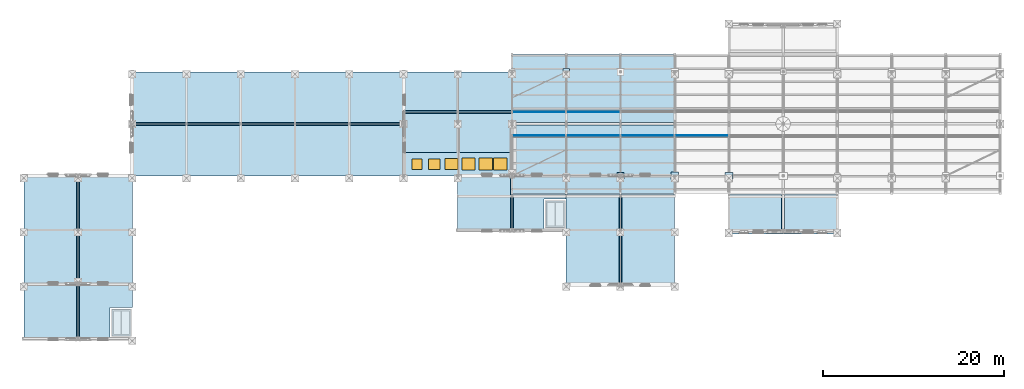
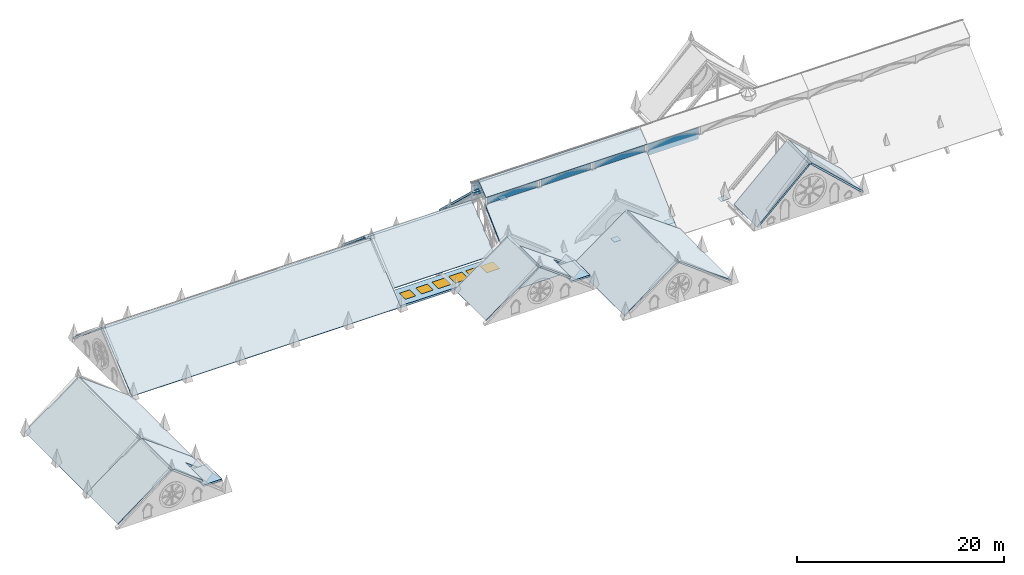
# One storey, part 15 of 33: 21 slabs, 10 plates, 6 windows, 6 openings.
"""IFC4 building model written with IfcOpenShell, lengths in metres."""

from ifc_helpers import new_model, si_unit, direction, frame, origin, origin_2d, place, context, subcontext, project, spatial, polyline, rectangle, outline, extrude, material, layer, layer_set, type_object, element, fill, save


model = new_model("IFC4")

# Units and contexts
model_context = context("Model", 3, precision=1e-05, world=origin(), true_north=direction((0.0, 1.0)))
body_context = subcontext(model_context, "Body", "Model", "MODEL_VIEW")
ifc_project = project(units=[si_unit("LENGTHUNIT", "METRE"), si_unit("AREAUNIT", "SQUARE_METRE"), si_unit("VOLUMEUNIT", "CUBIC_METRE"), si_unit("PLANEANGLEUNIT", "RADIAN"), si_unit("MASSUNIT", "GRAM", prefix="KILO")], contexts=[model_context])

# Site, building, storey
site_placement = place(None, origin())
site = spatial("IfcSite", under=ifc_project, at=site_placement, CompositionType="ELEMENT")
building_placement = place(site_placement, origin())
building = spatial("IfcBuilding", under=site, at=building_placement, Name="Cumevento Cable Car Station", CompositionType="ELEMENT")
storey_placement = place(building_placement, frame((0.0, 0.0, 22.5)))
storey = spatial("IfcBuildingStorey", under=building, at=storey_placement, Name="RF", CompositionType="ELEMENT", Elevation=22.5)

# Slabs
ifc_material_1 = material(Name="Concrete C40/50", Category="concrete")
ifc_layer_1 = layer(ifc_material_1, 0.159912109375)
ifc_layer_set_1 = layer_set([ifc_layer_1], Name="Concrete C40/50")
slab_type_1 = type_object("IfcSlabType", Name="Concrete Deck RS-160 160", PredefinedType="ROOF", material=ifc_layer_set_1)
for number, where, z_axis, x_axis, name in (
    (1, (64.0, 49.300048828125, 6.550048828125), (0.0, -0.61461725646, 0.788825473765), (1.0, 0.0, 0.0), "Boarding Hall Ridge Lantern South Facet 3"),
    (2, (64.0, 50.89990234375, 7.56298828125), (0.0, 0.61461725646, 0.788825473765), (1.0, 0.0, 0.0), "Boarding Hall Ridge Lantern North Facet 4"),
):
    element("IfcSlab", number, at=place(storey_placement, frame(where, z_axis=z_axis, x_axis=x_axis)), inside=storey, type_object=slab_type_1, Name=name, PredefinedType="ROOF", context=body_context, shape_type="SweptSolid", body=[
        extrude(outline(polyline([(0.0, 0.0), (18.0, 0.0), (18.0, 1.6480817004039454), (0.0, 1.6480817004039454), (0.0, 0.0)])), origin(), (0.0, 0.0, -1.0), 0.159912109375),
    ])
slab_1_placement = place(storey_placement, frame((58.0, 45.0, 0.390380859375), z_axis=(-0.586951487376, 0.0, 0.809622104112), x_axis=(0.0, -1.0, 0.0)))
element("IfcSlab", 3, at=slab_1_placement, inside=storey, type_object=slab_type_1, Name="Wing B_V2c Gable Roof West", PredefinedType="ROOF", context=body_context, shape_type="SweptSolid", body=[
    extrude(outline(polyline([(0.0, 0.0), (6.0, 0.0), (6.0, 7.213350353159925), (0.0, 7.213350353159925), (0.0, 0.0)])), origin(), (0.0, 0.0, -1.0), 0.159912109375),
])
slab_2_placement = place(storey_placement, frame((64.159912109375, 42.949951171875, 4.624267578125), z_axis=(0.58694527748, 8.088915e-06, 0.809626606022), x_axis=(4.74775e-06, -0.999999999967, 6.549001e-06)))
element("IfcSlab", 4, at=slab_2_placement, inside=storey, type_object=slab_type_1, Name="Wing B_V2c Gable Roof East", PredefinedType="ROOF", context=body_context, shape_type="SweptSolid", body=[
    extrude(outline(polyline([(0.0, 0.0), (3.9499511717457767, -3.3457387826238587e-21), (3.9499511718151368, 4.174914577880621), (0.5300292969270202, 4.174914577880621), (0.5300292964101253, 7.213350352947744), (-4.475346785935458e-10, 7.213350352947744), (0.0, 0.0)])), origin(), (0.0, 0.0, -1.0), 0.159912109375),
])
for number, where, z_axis, x_axis, name in (
    (5, (10.0, 45.0, 0.393310546875), (-0.595698812382, 0.0, 0.803207896454), (0.0, -1.0, 0.0), "Wing B_V6b Gable Roof West"),
    (6, (16.159912109375, 45.0, 4.724609375), (0.595698812382, 0.0, 0.803207896454), (0.0, -1.0, 0.0), "Wing B_V6b Gable Roof East"),
):
    element("IfcSlab", number, at=place(storey_placement, frame(where, z_axis=z_axis, x_axis=x_axis)), inside=storey, type_object=slab_type_1, Name=name, PredefinedType="ROOF", context=body_context, shape_type="SweptSolid", body=[
        extrude(outline(polyline([(0.0, 0.0), (12.0, 0.0), (12.0, 7.270954277723231), (0.0, 7.270954277723231), (0.0, 0.0)])), origin(), (0.0, 0.0, -1.0), 0.159912109375),
    ])
ifc_material_2 = material(Name="Concrete C40/50", Category="concrete")
ifc_layer_2 = layer(ifc_material_2, 0.172119140625)
ifc_layer_set_2 = layer_set([ifc_layer_2], Name="Concrete C40/50")
slab_type_2 = type_object("IfcSlabType", Name="Concrete Deck RS-172 172", PredefinedType="ROOF", material=ifc_layer_set_2)
for number, where, z_axis, x_axis, name in (
    (7, (70.0, 42.949951171875, 0.405029296875), (-0.586973672139, 0.0, 0.809606020368), (0.0, -1.0, 0.0), "Wing B_V2d Gable Roof West"),
    (8, (76.159912109375, 42.949951171875, 4.63916015625), (0.586973672139, 0.0, 0.809606020368), (0.0, -1.0, 0.0), "Wing B_V2d Gable Roof East"),
):
    element("IfcSlab", number, at=place(storey_placement, frame(where, z_axis=z_axis, x_axis=x_axis)), inside=storey, type_object=slab_type_2, Name=name, PredefinedType="ROOF", context=body_context, shape_type="SweptSolid", body=[
        extrude(outline(polyline([(0.0, 0.0), (9.949951171875, 0.0), (9.949951171875, 7.213493654571025), (0.0, 7.213493654571025), (0.0, 0.0)])), origin(), (0.0, 0.0, -1.0), 0.172119140625),
    ])
for number, where, z_axis, x_axis, name in (
    (9, (22.0, 45.0, 0.423583984375), (0.0, -0.632867918487, 0.774259774075), (1.0, 0.0, 0.0), "Wing B_V6c Gable Roof South"),
    (10, (22.0, 50.905029296875, 4.996826171875), (0.0, 0.632867918487, 0.774259774075), (1.0, 0.0, 0.0), "Wing B_V6c Gable Roof North"),
):
    element("IfcSlab", number, at=place(storey_placement, frame(where, z_axis=z_axis, x_axis=x_axis)), inside=storey, type_object=slab_type_2, Name=name, PredefinedType="ROOF", context=body_context, shape_type="SweptSolid", body=[
        extrude(outline(polyline([(0.0, 0.0), (30.0, 0.0), (30.0, 7.2262190164951985), (0.0, 7.2262190164951985), (0.0, 0.0)])), origin(), (0.0, 0.0, -1.0), 0.172119140625),
    ])
ifc_material_3 = material(Name="Concrete C40/50", Category="concrete")
ifc_layer_3 = layer(ifc_material_3, 0.199951171875)
ifc_layer_set_3 = layer_set([ifc_layer_3], Name="Concrete C40/50")
slab_type_3 = type_object("IfcSlabType", Name="Concrete Deck RS-200 200", PredefinedType="ROOF", material=ifc_layer_set_3)
for number, where, z_axis, x_axis, name in (
    (11, (64.0, 43.050048828125, -0.419921875), (0.0, -0.68836684704, 0.725362725743), (1.0, 0.0, 0.0), "Elevated Boarding Hall Vault South Facet 1"),
    (12, (64.0, 52.050048828125, 5.653564453125), (0.0, 0.68836684704, 0.725362725743), (1.0, 0.0, 0.0), "Elevated Boarding Hall Vault North Facet 2"),
):
    element("IfcSlab", number, at=place(storey_placement, frame(where, z_axis=z_axis, x_axis=x_axis)), inside=storey, type_object=slab_type_3, Name=name, PredefinedType="ROOF", context=body_context, shape_type="SweptSolid", body=[
        extrude(outline(polyline([(0.0, 0.0), (18.0, 0.0), (18.0, 8.823037242778593), (0.0, 8.823037242778593), (0.0, 0.0)])), origin(), (0.0, 0.0, -1.0), 0.199951171875),
    ])
for number, where, z_axis, x_axis, name in (
    (13, (88.0, 42.949951171875, 1.17578125), (-0.6819870209, 0.0, 0.731364275395), (0.0, -1.0, 0.0), "South Downhill Foothill Ropeway Cabin Portal Gothic Canopy West Facet"),
    (14, (94.159912109375, 42.949951171875, 6.62158203125), (0.6819870209, 0.0, 0.731364275395), (0.0, -1.0, 0.0), "South Downhill Foothill Ropeway Cabin Portal Gothic Canopy East Facet"),
):
    element("IfcSlab", number, at=place(storey_placement, frame(where, z_axis=z_axis, x_axis=x_axis)), inside=storey, type_object=slab_type_3, Name=name, PredefinedType="ROOF", context=body_context, shape_type="SweptSolid", body=[
        extrude(outline(polyline([(0.0, 0.0), (4.39990234375, 0.0), (4.39990234375, 7.985197099589207), (0.0, 7.985197099589207), (0.0, 0.0)])), origin(), (0.0, 0.0, -1.0), 0.199951171875),
    ])
slab_3_placement = place(storey_placement, frame((0.0, 0.0, 1.25)))
element("IfcSlab", 15, at=slab_3_placement, inside=storey, type_object=slab_type_3, Name="Lift Overrun Roof Slab LF-01", PredefinedType="ROOF", context=body_context, shape_type="SweptSolid", body=[
    extrude(outline(polyline([(67.760009765625, 39.300048828125), (69.820068359375, 39.300048828125), (69.820068359375, 42.199951171875), (67.760009765625, 42.199951171875), (67.760009765625, 39.300048828125)])), origin(), (0.0, 0.0, 1.0), 0.199951171875),
])
slab_4_placement = place(storey_placement, frame((0.0, 0.0, 1.25)))
element("IfcSlab", 16, at=slab_4_placement, inside=storey, type_object=slab_type_3, Name="Lift Overrun Roof Slab LF-03", PredefinedType="ROOF", context=body_context, shape_type="SweptSolid", body=[
    extrude(outline(polyline([(19.760009765625, 27.300048828125), (21.820068359375, 27.300048828125), (21.820068359375, 30.199951171875), (19.760009765625, 30.199951171875), (19.760009765625, 27.300048828125)])), origin(), (0.0, 0.0, 1.0), 0.199951171875),
])
ifc_material_4 = material(Name="Concrete C40/50", Category="concrete")
ifc_layer_4 = layer(ifc_material_4, 0.215087890625)
ifc_layer_set_4 = layer_set([ifc_layer_4], Name="Concrete C40/50")
slab_type_4 = type_object("IfcSlabType", Name="Concrete Deck RS-215 215", PredefinedType="ROOF", material=ifc_layer_set_4)
slab_5_placement = place(storey_placement, frame((10.0, 33.0, 0.4619140625), z_axis=(-0.595698812382, 0.0, 0.803207896454), x_axis=(0.0, -1.0, 0.0)))
element("IfcSlab", 17, at=slab_5_placement, inside=storey, type_object=slab_type_4, Name="Wing B_V6b_core Gable Roof West", PredefinedType="ROOF", context=body_context, shape_type="SweptSolid", body=[
    extrude(outline(polyline([(0.0, 0.0), (6.0, 0.0), (6.0, 7.270954277723231), (0.0, 7.270954277723231), (0.0, 0.0)])), origin(), (0.0, 0.0, -1.0), 0.215087890625),
])
slab_6_placement = place(storey_placement, frame((16.159912109375, 33.0, 4.793212890625), z_axis=(0.595693544126, 6.972393e-06, 0.803211803597), x_axis=(4.15341e-06, -0.999999999976, 5.600308e-06)))
element("IfcSlab", 18, at=slab_6_placement, inside=storey, type_object=slab_type_4, Name="Wing B_V6b_core Gable Roof East", PredefinedType="ROOF", context=body_context, shape_type="SweptSolid", body=[
    extrude(outline(polyline([(0.0, 0.0), (5.9999999998541576, 0.0), (6.0000000001050156, 4.183312514213845), (2.580078125188143, 4.183312514213845), (2.5800781246047717, 7.270954277566833), (-3.3251397384088726e-10, 7.270954277566833), (0.0, 0.0)])), origin(), (0.0, 0.0, -1.0), 0.215087890625),
])
slab_7_placement = place(storey_placement, frame((52.0, 47.60009765625, 0.84423828125), z_axis=(0.0, -0.642817806835, 0.766019103689), x_axis=(1.0, 0.0, 0.0)))
element("IfcSlab", 19, at=slab_7_placement, inside=storey, type_object=slab_type_4, Name="Wing B_V3d Gable Roof South", PredefinedType="ROOF", context=body_context, shape_type="SweptSolid", body=[
    extrude(outline(polyline([(0.0, 0.0), (12.0, 0.0), (12.0, 5.600114802903795), (0.0, 5.600114802903795), (0.0, 0.0)])), origin(), (0.0, 0.0, -1.0), 0.215087890625),
])
slab_8_placement = place(storey_placement, frame((52.0, 52.2099609375, 4.444091796875), z_axis=(0.0, 0.642796340335, 0.76603711715), x_axis=(1.0, 0.0, 0.0)))
element("IfcSlab", 20, at=slab_8_placement, inside=storey, type_object=slab_type_4, Name="Wing B_V3d Gable Roof North", PredefinedType="ROOF", context=body_context, shape_type="SweptSolid", body=[
    extrude(outline(polyline([(0.0, 0.0), (12.0, 0.0), (12.0, 5.600301821485477), (0.0, 5.600301821485477), (0.0, 0.0)])), origin(), (0.0, 0.0, -1.0), 0.215087890625),
])

# Slab, openings, windows
ifc_material_5 = material(Name="Concrete C40/50", Category="concrete")
ifc_layer_5 = layer(ifc_material_5, 0.239990234375)
ifc_layer_set_5 = layer_set([ifc_layer_5], Name="Concrete C40/50")
slab_type_5 = type_object("IfcSlabType", Name="Concrete Deck RS-240 240", PredefinedType="ROOF", material=ifc_layer_set_5)
slab_9_placement = place(storey_placement, frame((0.0, 0.0, 0.360107421875)))
slab_9 = element("IfcSlab", 21, at=slab_9_placement, inside=storey, type_object=slab_type_5, Name="Station Dispatch Skylit Monitor Curb Slab", PredefinedType="ROOF", context=body_context, shape_type="SweptSolid", body=[
    extrude(outline(polyline([(52.0, 45.0), (64.0, 45.0), (64.0, 47.60009765625), (52.0, 47.60009765625), (52.0, 45.0)])), origin(), (0.0, 0.0, 1.0), 0.239990234375),
])
opening_1_placement = place(slab_9_placement, frame((53.5, 46.300048828125, 0.0)))
opening_1 = element("IfcOpeningElement", 22, at=opening_1_placement, cuts=slab_9, Name="Opening SK-RF-01", PredefinedType="OPENING", context=body_context, shape_type="SweptSolid", body=[
    extrude(rectangle(XDim=1.14990234375, YDim=1.14990234375, at=origin_2d()), origin(), (0.0, 0.0, 1.0), 0.239990234375),
])
opening_2_placement = place(slab_9_placement, frame((55.39990234375, 46.300048828125, 0.0)))
opening_2 = element("IfcOpeningElement", 23, at=opening_2_placement, cuts=slab_9, Name="Opening SK-RF-02", PredefinedType="OPENING", context=body_context, shape_type="SweptSolid", body=[
    extrude(rectangle(XDim=1.300048828125, YDim=1.14990234375, at=origin_2d()), origin(), (0.0, 0.0, 1.0), 0.239990234375),
])
opening_3_placement = place(slab_9_placement, frame((57.300048828125, 46.300048828125, 0.0)))
opening_3 = element("IfcOpeningElement", 24, at=opening_3_placement, cuts=slab_9, Name="Opening SK-RF-03", PredefinedType="OPENING", context=body_context, shape_type="SweptSolid", body=[
    extrude(rectangle(XDim=1.449951171875, YDim=1.25, at=origin_2d()), origin(), (0.0, 0.0, 1.0), 0.239990234375),
])
opening_4_placement = place(slab_9_placement, frame((59.199951171875, 46.300048828125, 0.0)))
opening_4 = element("IfcOpeningElement", 25, at=opening_4_placement, cuts=slab_9, Name="Opening SK-RF-04", PredefinedType="OPENING", context=body_context, shape_type="SweptSolid", body=[
    extrude(rectangle(XDim=1.449951171875, YDim=1.300048828125, at=origin_2d()), origin(), (0.0, 0.0, 1.0), 0.239990234375),
])
opening_5_placement = place(slab_9_placement, frame((61.10009765625, 46.300048828125, 0.0)))
opening_5 = element("IfcOpeningElement", 26, at=opening_5_placement, cuts=slab_9, Name="Opening SK-RF-05", PredefinedType="OPENING", context=body_context, shape_type="SweptSolid", body=[
    extrude(rectangle(XDim=1.449951171875, YDim=1.300048828125, at=origin_2d()), origin(), (0.0, 0.0, 1.0), 0.239990234375),
])
opening_6_placement = place(slab_9_placement, frame((62.699951171875, 46.300048828125, 0.0)))
opening_6 = element("IfcOpeningElement", 27, at=opening_6_placement, cuts=slab_9, Name="Opening SK-RF-06", PredefinedType="OPENING", context=body_context, shape_type="SweptSolid", body=[
    extrude(rectangle(XDim=1.449951171875, YDim=1.300048828125, at=origin_2d()), origin(), (0.0, 0.0, 1.0), 0.239990234375),
])
ifc_material_6 = material(Name="Anodised Bronze Aluminium & Laminated Solar Glass", Category="aluminium")
window_type_1 = type_object("IfcWindowType", Name="Roof Skylight SK-01 1150x1150", PartitioningType="SINGLE_PANEL", PredefinedType="SKYLIGHT", material=ifc_material_6)
window_1_placement = place(opening_1_placement, frame((0.0, 0.0, 0.18994140625)))
window_1 = element("IfcWindow", 28, at=window_1_placement, inside=storey, type_object=window_type_1, Name="Roof Monitor Skylight Hatch SK-RF-01", OverallHeight=1.14990234375, OverallWidth=1.14990234375, PartitioningType="SINGLE_PANEL", PredefinedType="SKYLIGHT", context=body_context, shape_type="SweptSolid", body=[
    extrude(rectangle(XDim=1.14990234375, YDim=1.14990234375, at=origin_2d()), origin(), (0.0, 0.0, 1.0), 0.050048828125),
])
fill(opening_1, window_1)
ifc_material_7 = material(Name="Anodised Bronze Aluminium & Laminated Solar Glass", Category="aluminium")
window_type_2 = type_object("IfcWindowType", Name="Roof Skylight SK-02 1300x1150", PartitioningType="SINGLE_PANEL", PredefinedType="SKYLIGHT", material=ifc_material_7)
window_2_placement = place(opening_2_placement, frame((0.0, 0.0, 0.18994140625)))
window_2 = element("IfcWindow", 29, at=window_2_placement, inside=storey, type_object=window_type_2, Name="Roof Monitor Skylight Hatch SK-RF-02", OverallHeight=1.14990234375, OverallWidth=1.300048828125, PartitioningType="SINGLE_PANEL", PredefinedType="SKYLIGHT", context=body_context, shape_type="SweptSolid", body=[
    extrude(rectangle(XDim=1.300048828125, YDim=1.14990234375, at=origin_2d()), origin(), (0.0, 0.0, 1.0), 0.050048828125),
])
fill(opening_2, window_2)
ifc_material_8 = material(Name="Anodised Bronze Aluminium & Laminated Solar Glass", Category="aluminium")
window_type_3 = type_object("IfcWindowType", Name="Roof Skylight SK-03 1450x1250", PartitioningType="SINGLE_PANEL", PredefinedType="SKYLIGHT", material=ifc_material_8)
window_3_placement = place(opening_3_placement, frame((0.0, 0.0, 0.18994140625)))
window_3 = element("IfcWindow", 30, at=window_3_placement, inside=storey, type_object=window_type_3, Name="Roof Monitor Skylight Hatch SK-RF-03", OverallHeight=1.25, OverallWidth=1.449951171875, PartitioningType="SINGLE_PANEL", PredefinedType="SKYLIGHT", context=body_context, shape_type="SweptSolid", body=[
    extrude(rectangle(XDim=1.449951171875, YDim=1.25, at=origin_2d()), origin(), (0.0, 0.0, 1.0), 0.050048828125),
])
fill(opening_3, window_3)
ifc_material_9 = material(Name="Anodised Bronze Aluminium & Laminated Solar Glass", Category="aluminium")
window_type_4 = type_object("IfcWindowType", Name="Roof Skylight SK-04 1600x1350", PartitioningType="DOUBLE_PANEL_VERTICAL", PredefinedType="SKYLIGHT", material=ifc_material_9)
window_4_placement = place(opening_4_placement, frame((0.0, 0.0, 0.18994140625)))
window_4 = element("IfcWindow", 31, at=window_4_placement, inside=storey, type_object=window_type_4, Name="Roof Monitor Skylight Hatch SK-RF-04", OverallHeight=1.300048828125, OverallWidth=1.449951171875, PartitioningType="SINGLE_PANEL", PredefinedType="SKYLIGHT", context=body_context, shape_type="SweptSolid", body=[
    extrude(rectangle(XDim=1.449951171875, YDim=1.300048828125, at=origin_2d()), origin(), (0.0, 0.0, 1.0), 0.050048828125),
])
fill(opening_4, window_4)
ifc_material_10 = material(Name="Anodised Bronze Aluminium & Laminated Solar Glass", Category="aluminium")
window_type_5 = type_object("IfcWindowType", Name="Roof Skylight SK-05 1750x1400", PartitioningType="DOUBLE_PANEL_VERTICAL", PredefinedType="SKYLIGHT", material=ifc_material_10)
window_5_placement = place(opening_5_placement, frame((0.0, 0.0, 0.18994140625)))
window_5 = element("IfcWindow", 32, at=window_5_placement, inside=storey, type_object=window_type_5, Name="Roof Monitor Skylight Hatch SK-RF-05", OverallHeight=1.300048828125, OverallWidth=1.449951171875, PartitioningType="SINGLE_PANEL", PredefinedType="SKYLIGHT", context=body_context, shape_type="SweptSolid", body=[
    extrude(rectangle(XDim=1.449951171875, YDim=1.300048828125, at=origin_2d()), origin(), (0.0, 0.0, 1.0), 0.050048828125),
])
fill(opening_5, window_5)
ifc_material_11 = material(Name="Anodised Bronze Aluminium & Laminated Solar Glass", Category="aluminium")
window_type_6 = type_object("IfcWindowType", Name="Roof Skylight SK-06 1900x1450", PartitioningType="DOUBLE_PANEL_VERTICAL", PredefinedType="SKYLIGHT", material=ifc_material_11)
window_6_placement = place(opening_6_placement, frame((0.0, 0.0, 0.18994140625)))
window_6 = element("IfcWindow", 33, at=window_6_placement, inside=storey, type_object=window_type_6, Name="Roof Monitor Skylight Hatch SK-RF-06", OverallHeight=1.300048828125, OverallWidth=1.449951171875, PartitioningType="SINGLE_PANEL", PredefinedType="SKYLIGHT", context=body_context, shape_type="SweptSolid", body=[
    extrude(rectangle(XDim=1.449951171875, YDim=1.300048828125, at=origin_2d()), origin(), (0.0, 0.0, 1.0), 0.050048828125),
])
fill(opening_6, window_6)

# Plates
ifc_material_12 = material(Name="Solar Control Laminated Double Glazing", Category="glass")
ifc_layer_6 = layer(ifc_material_12, 0.044921875)
ifc_layer_set_6 = layer_set([ifc_layer_6], Name="Solar Control Laminated Double Glazing")
plate_type_1 = type_object("IfcPlateType", Name="Glazed Feature Plate GL-01 5600x45x1350", PredefinedType="SHEET", material=ifc_layer_set_6)
for number, where, z_axis, x_axis, name in (
    (34, (67.0, 49.449951171875, 5.074951171875), (0.0, 0.0, 1.0), (1.0, 0.0, 0.0), "Boarding Hall Glazed Clerestory Panel #51"),
    (35, (67.0, 52.050048828125, 5.074951171875), (0.0, 0.0, 1.0), (1.0, 0.0, 0.0), "Boarding Hall Glazed Clerestory Panel #52"),
    (36, (73.0, 49.449951171875, 5.074951171875), (0.0, 0.0, 1.0), (1.0, 0.0, 0.0), "Boarding Hall Glazed Clerestory Panel #53"),
    (37, (73.0, 52.050048828125, 5.074951171875), (0.0, 0.0, 1.0), (1.0, 0.0, 0.0), "Boarding Hall Glazed Clerestory Panel #54"),
    (38, (79.0, 49.449951171875, 5.074951171875), (0.0, 0.0, 1.0), (1.0, 0.0, 0.0), "Boarding Hall Glazed Clerestory Panel #55"),
    (39, (85.0, 49.449951171875, 5.074951171875), (0.0, 0.0, 1.0), (1.0, 0.0, 0.0), "Boarding Hall Glazed Clerestory Panel #57"),
):
    element("IfcPlate", number, at=place(storey_placement, frame(where, z_axis=z_axis, x_axis=x_axis)), inside=storey, type_object=plate_type_1, Name=name, PredefinedType="SHEET", context=body_context, shape_type="SweptSolid", body=[
        extrude(rectangle(XDim=5.60009765625, YDim=0.044921875, at=origin_2d()), origin(), (0.0, 0.0, 1.0), 1.35009765625),
    ])
ifc_material_13 = material(Name="Steel ASTM A572 Grade 50", Category="steel")
ifc_layer_7 = layer(ifc_material_13, 0.0400390625)
ifc_layer_set_7 = layer_set([ifc_layer_7], Name="Steel ASTM A572 Grade 50")
plate_type_2 = type_object("IfcPlateType", Name="Steel Plate BP-03 740x740x40", PredefinedType="SHEET", material=ifc_layer_set_7)
for number, where, z_axis, x_axis, name in (
    (40, (70.0, 56.5, 0.0), (0.0, 0.0, 1.0), (1.0, 0.0, 0.0), "Boarding Hall Truss Base Shoe Plate #7"),
    (41, (76.0, 45.0, 0.0), (0.0, 0.0, 1.0), (1.0, 0.0, 0.0), "Boarding Hall Truss Base Shoe Plate #11"),
):
    element("IfcPlate", number, at=place(storey_placement, frame(where, z_axis=z_axis, x_axis=x_axis)), inside=storey, type_object=plate_type_2, Name=name, PredefinedType="SHEET", context=body_context, shape_type="SweptSolid", body=[
        extrude(rectangle(XDim=0.739990234375, YDim=0.739990234375, at=origin_2d()), origin(), (0.0, 0.0, 1.0), 0.0400390625),
    ])
ifc_material_14 = material(Name="Steel ASTM A572 Grade 50", Category="steel")
ifc_layer_8 = layer(ifc_material_14, 0.0439453125)
ifc_layer_set_8 = layer_set([ifc_layer_8], Name="Steel ASTM A572 Grade 50")
plate_type_3 = type_object("IfcPlateType", Name="Steel Plate BP-04 800x800x44", PredefinedType="SHEET", material=ifc_layer_set_8)
plate_1_placement = place(storey_placement, frame((82.0, 45.0, 0.0), z_axis=(0.0, 0.0, 1.0), x_axis=(1.0, 0.0, 0.0)))
element("IfcPlate", 42, at=plate_1_placement, inside=storey, type_object=plate_type_3, Name="Boarding Hall Truss Base Shoe Plate #16", PredefinedType="SHEET", context=body_context, shape_type="SweptSolid", body=[
    extrude(rectangle(XDim=0.800048828125, YDim=0.800048828125, at=origin_2d()), origin(), (0.0, 0.0, 1.0), 0.0439453125),
])
ifc_material_15 = material(Name="Steel ASTM A572 Grade 50", Category="steel")
ifc_layer_9 = layer(ifc_material_15, 0.048095703125)
ifc_layer_set_9 = layer_set([ifc_layer_9], Name="Steel ASTM A572 Grade 50")
plate_type_4 = type_object("IfcPlateType", Name="Steel Plate BP-05 860x720x48", PredefinedType="SHEET", material=ifc_layer_set_9)
plate_2_placement = place(storey_placement, frame((88.0, 45.0, 0.60009765625), z_axis=(0.0, 0.0, 1.0), x_axis=(1.0, 0.0, 0.0)))
element("IfcPlate", 43, at=plate_2_placement, inside=storey, type_object=plate_type_4, Name="Boarding Hall Truss Base Shoe Plate #21", PredefinedType="SHEET", context=body_context, shape_type="SweptSolid", body=[
    extrude(rectangle(XDim=0.860107421875, YDim=0.719970703125, at=origin_2d()), origin(), (0.0, 0.0, 1.0), 0.048095703125),
])

save(model, "model.ifc")
